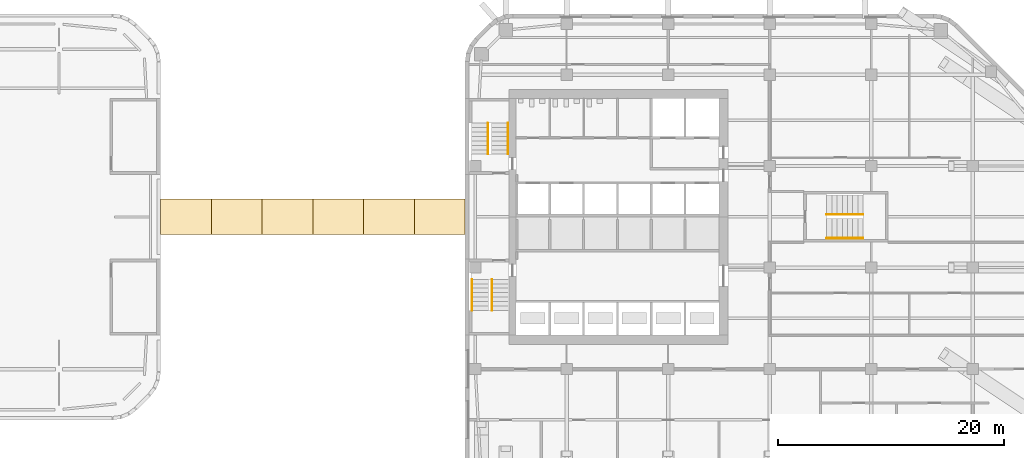
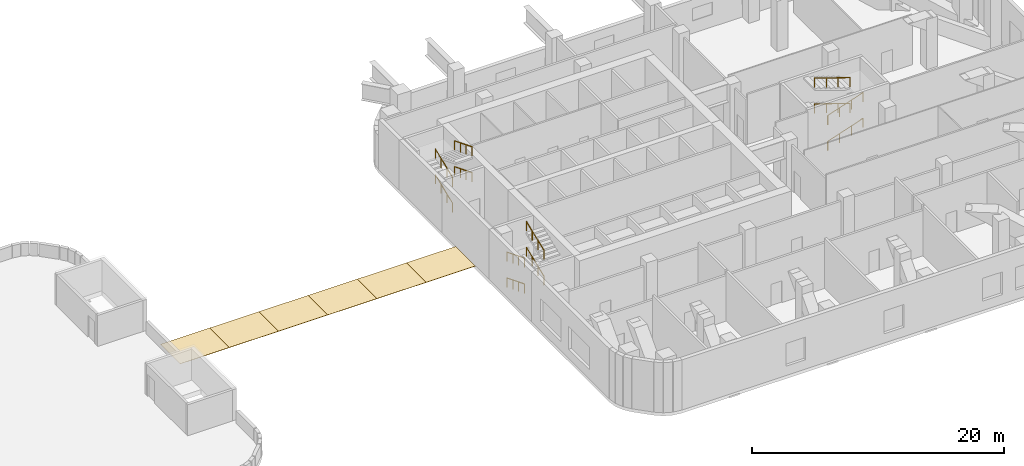
# One storey, part 9 of 11: 12 railings, 6 coverings, 3 elements without a shape of their own.
"""IFC4 building model written with IfcOpenShell, lengths in metres."""

import ifcopenshell
import ifcopenshell.guid

model = None  # the IFC model being written
_history = None  # IfcOwnerHistory: only IFC2X3 demands one
_inside = {}  # id of a spatial element -> (the spatial element, [elements in it])
_under = {}  # id of a project, library or spatial element -> (it, [spatial elements below it])
_declared = {}  # id of a project -> (the project, [libraries it declares])
_typed = {}  # id of a type object -> (the type object, [elements of that type])
_made_of = {}  # id of a material, layer set ... -> (it, [elements and type objects made of it])


def new_model(schema):
    """Start an empty IFC model of exactly this schema.

    Asked for "IFC4X3", IfcOpenShell would pick the latest addendum, in which some entities
    have other attributes; the version numbers below select the first issue.
    IFC2X3 requires an IfcOwnerHistory on every rooted entity: one is made here for all.
    """
    global model, _history
    if schema == "IFC4X3":
        model = ifcopenshell.file(schema_version=(4, 3, 0, 0))
    else:
        model = ifcopenshell.file(schema=schema)
    _inside.clear()
    _under.clear()
    _declared.clear()
    _typed.clear()
    _made_of.clear()
    _history = None
    if model.schema == "IFC2X3":
        org = make("IfcOrganization", Name="unknown")
        user = make(
            "IfcPersonAndOrganization",
            ThePerson=make("IfcPerson", FamilyName="unknown"),
            TheOrganization=org,
        )
        app = make(
            "IfcApplication",
            ApplicationDeveloper=org,
            Version="unknown",
            ApplicationFullName="unknown",
            ApplicationIdentifier="unknown",
        )
        _history = make(
            "IfcOwnerHistory",
            OwningUser=user,
            OwningApplication=app,
            ChangeAction="ADDED",
            CreationDate=0,
        )
    return model


def make(cls, **values):
    """One entity of the class cls with the attributes given. An attribute that is None is left unset."""
    return model.create_entity(
        cls, **{name: value for name, value in values.items() if value is not None}
    )


def rooted(cls, **values):
    """An entity with a GlobalId (a new one), such as an element, a storey or a relation."""
    return make(cls, GlobalId=ifcopenshell.guid.new(), OwnerHistory=_history, **values)


def si_unit(unit_type, name, prefix=None):
    """IfcSIUnit, for example si_unit("LENGTHUNIT", "METRE", prefix="MILLI")."""
    return make("IfcSIUnit", UnitType=unit_type, Prefix=prefix, Name=name)


def assignment(units):
    """IfcUnitAssignment: the units of a project."""
    return None if units is None else make("IfcUnitAssignment", Units=units)


def point(xyz):
    """IfcCartesianPoint."""
    return None if xyz is None else make("IfcCartesianPoint", Coordinates=xyz)


def direction(xyz):
    """IfcDirection."""
    return None if xyz is None else make("IfcDirection", DirectionRatios=xyz)


def frame(location, z_axis=None, x_axis=None):
    """IfcAxis2Placement3D, a coordinate frame: its origin and axes. An axis left out is left unset."""
    return make(
        "IfcAxis2Placement3D",
        Location=point(location),
        Axis=direction(z_axis),
        RefDirection=direction(x_axis),
    )


def frame_2d(location, x_axis=None):
    """IfcAxis2Placement2D, a coordinate frame in the plane: its origin and x axis."""
    return make(
        "IfcAxis2Placement2D", Location=point(location), RefDirection=direction(x_axis)
    )


def origin():
    """The frame at (0, 0, 0) with its axes left unset."""
    return frame((0.0, 0.0, 0.0))


def origin_2d():
    """The frame at (0, 0) in the plane with its x axis left unset."""
    return frame_2d((0.0, 0.0))


def place(relative_to, where):
    """IfcLocalPlacement: puts the frame where relative to a parent placement (None: the world)."""
    return make(
        "IfcLocalPlacement", PlacementRelTo=relative_to, RelativePlacement=where
    )


def context(
    kind, dimensions, precision=None, world=None, true_north=None, identifier=None
):
    """IfcGeometricRepresentationContext, for example the 3D "Model" context."""
    return make(
        "IfcGeometricRepresentationContext",
        ContextIdentifier=identifier,
        ContextType=kind,
        CoordinateSpaceDimension=dimensions,
        Precision=precision,
        WorldCoordinateSystem=world,
        TrueNorth=true_north,
    )


def subcontext(parent, identifier, kind, view, scale=None):
    """IfcGeometricRepresentationSubContext, for example "Body" below "Model"."""
    return make(
        "IfcGeometricRepresentationSubContext",
        ContextIdentifier=identifier,
        ContextType=kind,
        ParentContext=parent,
        TargetScale=scale,
        TargetView=view,
    )


def project(units=None, contexts=None):
    """IfcProject with its units and contexts."""
    return rooted(
        "IfcProject",
        Name="project",
        RepresentationContexts=contexts,
        UnitsInContext=assignment(units),
    )


def spatial(cls, under=None, at=None, **own):
    """A site, building, storey or space (cls), placed at a placement, below another one or the project."""
    s = rooted(cls, ObjectPlacement=at, **own)
    if under is not None:
        _under.setdefault(under.id(), (under, []))[1].append(s)
    return s


def profile(cls, at=None, kind="AREA", **sizes):
    """A parametric profile (cls). Its sizes go by their IFC names, for example OverallWidth=200.0."""
    return make(cls, ProfileType=kind, Position=at, **sizes)


def rectangle(**sizes):
    """IfcRectangleProfileDef."""
    return profile("IfcRectangleProfileDef", **sizes)


def circle(**sizes):
    """IfcCircleProfileDef."""
    return profile("IfcCircleProfileDef", **sizes)


def extrude(swept, where, along, depth):
    """IfcExtrudedAreaSolid: the profile swept, set in the frame where, extruded along a direction by depth."""
    return make(
        "IfcExtrudedAreaSolid",
        SweptArea=swept,
        Position=where,
        ExtrudedDirection=direction(along),
        Depth=depth,
    )


def shape(context_of_items, identifier, shape_type, items):
    """IfcShapeRepresentation: the items that make up one representation, for example the "Body"."""
    return make(
        "IfcShapeRepresentation",
        ContextOfItems=context_of_items,
        RepresentationIdentifier=identifier,
        RepresentationType=shape_type,
        Items=items,
    )


def material(Name=None, Category=None):
    """IfcMaterial."""
    return make("IfcMaterial", Name=Name, Category=Category)


def layer(
    of_material, thickness, ventilated=None, Name=None, Category=None, Priority=None
):
    """IfcMaterialLayer: one layer of a wall or slab, of a material (None: an air gap)."""
    return make(
        "IfcMaterialLayer",
        Material=of_material,
        LayerThickness=thickness,
        IsVentilated=ventilated,
        Name=Name,
        Category=Category,
        Priority=Priority,
    )


def layer_set(layers, Name=None):
    """IfcMaterialLayerSet."""
    return make("IfcMaterialLayerSet", MaterialLayers=layers, LayerSetName=Name)


def made_of(thing, what):
    """Note that an element or type object is made of a material, layer set ...; save() writes the relation."""
    if what is not None:
        _made_of.setdefault(what.id(), (what, []))[1].append(thing)
    return thing


def type_object(cls, material=None, **own):
    """A type object (cls), such as IfcWallType, which elements share."""
    return made_of(rooted(cls, **own), material)


def element(
    cls,
    number,
    at=None,
    inside=None,
    cuts=None,
    type_object=None,
    material=None,
    context=None,
    identifier="Body",
    shape_type=None,
    held_by="IfcProductDefinitionShape",
    body=None,
    shapes=None,
    **own,
):
    """One element of the class cls, such as IfcWall. Its Tag is "e" and its number.

    at: its placement. inside: the storey or other place that contains it. cuts: it is an
    opening in that element (IfcRelVoidsElement). A single representation is given by context,
    identifier, shape_type and body (its items); several are given by shapes. held_by: the class
    of the entity that holds the representations. save() writes the other relations.
    """
    e = rooted(cls, Tag="e%d" % number, ObjectPlacement=at, **own)
    if body is not None:
        shapes = [shape(context, identifier, shape_type, body)]
    if shapes is not None:
        e.Representation = make(held_by, Representations=shapes)
    if inside is not None:
        _inside.setdefault(inside.id(), (inside, []))[1].append(e)
    if cuts is not None:
        rooted(
            "IfcRelVoidsElement", RelatingBuildingElement=cuts, RelatedOpeningElement=e
        )
    if type_object is not None:
        _typed.setdefault(type_object.id(), (type_object, []))[1].append(e)
    return made_of(e, material)


def aggregate(whole, parts):
    """IfcRelAggregates: a whole, such as a stair, and the parts it consists of."""
    return rooted("IfcRelAggregates", RelatingObject=whole, RelatedObjects=parts)


def save(model, path):
    """Write the relations noted so far, then the file.

    IfcRelAggregates (storeys below a building ...), IfcRelContainedInSpatialStructure (elements
    in a storey), IfcRelDefinesByType, IfcRelAssociatesMaterial and IfcRelDeclares: one each for
    every whole, place, type object, material and project.
    """
    for whole, parts in _under.values():
        aggregate(whole, parts)
    for where, things in _inside.values():
        rooted(
            "IfcRelContainedInSpatialStructure",
            RelatedElements=things,
            RelatingStructure=where,
        )
    for kind, things in _typed.values():
        rooted("IfcRelDefinesByType", RelatedObjects=things, RelatingType=kind)
    for what, things in _made_of.values():
        rooted("IfcRelAssociatesMaterial", RelatedObjects=things, RelatingMaterial=what)
    for by, libraries in _declared.values():
        rooted("IfcRelDeclares", RelatingContext=by, RelatedDefinitions=libraries)
    model.write(path)


model = new_model("IFC4")

# Units and contexts
model_context = context("Model", 3, precision=1e-05, world=origin(), true_north=direction((0.0, 1.0)))
body_context = subcontext(model_context, "Body", "Model", "MODEL_VIEW")
ifc_project = project(units=[si_unit("LENGTHUNIT", "METRE"), si_unit("AREAUNIT", "SQUARE_METRE"), si_unit("VOLUMEUNIT", "CUBIC_METRE"), si_unit("PLANEANGLEUNIT", "RADIAN"), si_unit("MASSUNIT", "GRAM", prefix="KILO")], contexts=[model_context])

# Site, building, storey
site_placement = place(None, origin())
site = spatial("IfcSite", under=ifc_project, at=site_placement, CompositionType="ELEMENT")
building_placement = place(site_placement, origin())
building = spatial("IfcBuilding", under=site, at=building_placement, Name="Cinnabar Reach Civic Tower", CompositionType="ELEMENT")
storey_placement = place(building_placement, frame((0.0, 0.0, 144.0)))
storey = spatial("IfcBuildingStorey", under=building, at=storey_placement, Name="L34", CompositionType="ELEMENT", Elevation=144.0)

# Coverings
ifc_material_1 = material(Name="Clear double glazing", Category="glass")
ifc_layer = layer(ifc_material_1, 0.03)
ifc_layer_set = layer_set([ifc_layer], Name="Bridge 2 enclosure roof glazing")
covering_type = type_object("IfcCoveringType", Name="Bridge 2 enclosure roof glazing", PredefinedType="ROOFING", material=ifc_layer_set)
for number, where, z_axis, x_axis, name in (
    (1, (-24.75, 31.5, -0.05), (0.0, 0.0, 1.0), (1.0, 0.0, 0.0), "Bridge 2 enclosure roof panel 1"),
    (2, (-20.25, 31.5, -0.05), (0.0, 0.0, 1.0), (1.0, 0.0, 0.0), "Bridge 2 enclosure roof panel 2"),
    (3, (-15.75, 31.5, -0.05), (0.0, 0.0, 1.0), (1.0, 0.0, 0.0), "Bridge 2 enclosure roof panel 3"),
    (4, (-11.25, 31.5, -0.05), (0.0, 0.0, 1.0), (1.0, 0.0, 0.0), "Bridge 2 enclosure roof panel 4"),
    (5, (-6.75, 31.5, -0.05), (0.0, 0.0, 1.0), (1.0, 0.0, 0.0), "Bridge 2 enclosure roof panel 5"),
    (6, (-2.25, 31.5, -0.05), (0.0, 0.0, 1.0), (1.0, 0.0, 0.0), "Bridge 2 enclosure roof panel 6"),
):
    element("IfcCovering", number, at=place(storey_placement, frame(where, z_axis=z_axis, x_axis=x_axis)), inside=storey, type_object=covering_type, Name=name, PredefinedType="ROOFING", context=body_context, shape_type="SweptSolid", body=[
        extrude(rectangle(XDim=4.5, YDim=3.12, at=origin_2d()), origin(), (0.0, 0.0, 1.0), 0.03),
    ])

# Stair, railings
ifc_material_2 = material(Name="Concrete C40/50", Category="concrete")
stair_type = type_object("IfcStairType", Name="T1 Exit stair, double return", PredefinedType="DOUBLE_RETURN_STAIR", material=ifc_material_2)
stair_1_placement = place(storey_placement, origin())
stair_1 = element("IfcStair", 7, at=stair_1_placement, inside=storey, type_object=stair_type, Name="Stair T1-S1", PredefinedType="DOUBLE_RETURN_STAIR")
ifc_material_3 = material(Name="Stainless steel tube", Category="steel")
railing_type = type_object("IfcRailingType", Name="T1 Stair handrail, stainless tube 48", PredefinedType="HANDRAIL", material=ifc_material_3)
railing_1_placement = place(storey_placement, frame((0.6, 25.95, 0.1562)))
railing_1 = element("IfcRailing", 8, at=railing_1_placement, type_object=railing_type, Name="T1-S1 handrail 1", PredefinedType="HANDRAIL", context=body_context, shape_type="SweptSolid", body=[
    extrude(circle(Radius=0.024, at=origin_2d()), frame((0.0, 0.0, 0.876), z_axis=(0.0, -0.928966009512, 0.370165035047), x_axis=(1.0, 0.0, 0.0)), (0.0, 0.0, 1.0), 2.9549),
    extrude(circle(Radius=0.021, at=origin_2d()), origin(), (0.0, 0.0, 1.0), 0.852),
    extrude(circle(Radius=0.021, at=origin_2d()), frame((0.0, -0.915, 0.3646)), (0.0, 0.0, 1.0), 0.852),
    extrude(circle(Radius=0.021, at=origin_2d()), frame((0.0, -1.83, 0.7292)), (0.0, 0.0, 1.0), 0.852),
    extrude(circle(Radius=0.021, at=origin_2d()), frame((0.0, -2.745, 1.0938)), (0.0, 0.0, 1.0), 0.852),
])
railing_2_placement = place(storey_placement, frame((2.375, 23.205, 1.4062)))
railing_2 = element("IfcRailing", 9, at=railing_2_placement, type_object=railing_type, Name="T1-S1 handrail 2", PredefinedType="HANDRAIL", context=body_context, shape_type="SweptSolid", body=[
    extrude(circle(Radius=0.024, at=origin_2d()), frame((0.0, 0.0, 0.876), z_axis=(0.0, 0.928966009512, 0.370165035047), x_axis=(-1.0, 0.0, 0.0)), (0.0, 0.0, 1.0), 2.9549),
    extrude(circle(Radius=0.021, at=origin_2d()), origin(), (0.0, 0.0, 1.0), 0.852),
    extrude(circle(Radius=0.021, at=origin_2d()), frame((0.0, 0.915, 0.3646)), (0.0, 0.0, 1.0), 0.852),
    extrude(circle(Radius=0.021, at=origin_2d()), frame((0.0, 1.83, 0.7292)), (0.0, 0.0, 1.0), 0.852),
    extrude(circle(Radius=0.021, at=origin_2d()), frame((0.0, 2.745, 1.0938)), (0.0, 0.0, 1.0), 0.852),
])
railing_3_placement = place(storey_placement, frame((0.6, 25.95, 2.6562)))
railing_3 = element("IfcRailing", 10, at=railing_3_placement, type_object=railing_type, Name="T1-S1 handrail 3", PredefinedType="HANDRAIL", context=body_context, shape_type="SweptSolid", body=[
    extrude(circle(Radius=0.024, at=origin_2d()), frame((0.0, 0.0, 0.876), z_axis=(0.0, -0.928966009512, 0.370165035047), x_axis=(1.0, 0.0, 0.0)), (0.0, 0.0, 1.0), 2.9549),
    extrude(circle(Radius=0.021, at=origin_2d()), origin(), (0.0, 0.0, 1.0), 0.852),
    extrude(circle(Radius=0.021, at=origin_2d()), frame((0.0, -0.915, 0.3646)), (0.0, 0.0, 1.0), 0.852),
    extrude(circle(Radius=0.021, at=origin_2d()), frame((0.0, -1.83, 0.7292)), (0.0, 0.0, 1.0), 0.852),
    extrude(circle(Radius=0.021, at=origin_2d()), frame((0.0, -2.745, 1.0938)), (0.0, 0.0, 1.0), 0.852),
])
railing_4_placement = place(storey_placement, frame((2.375, 23.205, 3.9062)))
railing_4 = element("IfcRailing", 11, at=railing_4_placement, type_object=railing_type, Name="T1-S1 handrail 4", PredefinedType="HANDRAIL", context=body_context, shape_type="SweptSolid", body=[
    extrude(circle(Radius=0.024, at=origin_2d()), frame((0.0, 0.0, 0.876), z_axis=(0.0, 0.928966009512, 0.370165035047), x_axis=(-1.0, 0.0, 0.0)), (0.0, 0.0, 1.0), 2.9549),
    extrude(circle(Radius=0.021, at=origin_2d()), origin(), (0.0, 0.0, 1.0), 0.852),
    extrude(circle(Radius=0.021, at=origin_2d()), frame((0.0, 0.915, 0.3646)), (0.0, 0.0, 1.0), 0.852),
    extrude(circle(Radius=0.021, at=origin_2d()), frame((0.0, 1.83, 0.7292)), (0.0, 0.0, 1.0), 0.852),
    extrude(circle(Radius=0.021, at=origin_2d()), frame((0.0, 2.745, 1.0938)), (0.0, 0.0, 1.0), 0.852),
])
aggregate(stair_1, [railing_1, railing_2, railing_3, railing_4])

stair_2_placement = place(storey_placement, origin())
stair_2 = element("IfcStair", 12, at=stair_2_placement, inside=storey, type_object=stair_type, Name="Stair T1-S2", PredefinedType="DOUBLE_RETURN_STAIR")
railing_5_placement = place(storey_placement, frame((2.025, 37.05, 0.1562)))
railing_5 = element("IfcRailing", 13, at=railing_5_placement, type_object=railing_type, Name="T1-S2 handrail 1", PredefinedType="HANDRAIL", context=body_context, shape_type="SweptSolid", body=[
    extrude(circle(Radius=0.024, at=origin_2d()), frame((0.0, 0.0, 0.876), z_axis=(0.0, 0.928966009512, 0.370165035047), x_axis=(-1.0, 0.0, 0.0)), (0.0, 0.0, 1.0), 2.9549),
    extrude(circle(Radius=0.021, at=origin_2d()), origin(), (0.0, 0.0, 1.0), 0.852),
    extrude(circle(Radius=0.021, at=origin_2d()), frame((0.0, 0.915, 0.3646)), (0.0, 0.0, 1.0), 0.852),
    extrude(circle(Radius=0.021, at=origin_2d()), frame((0.0, 1.83, 0.7292)), (0.0, 0.0, 1.0), 0.852),
    extrude(circle(Radius=0.021, at=origin_2d()), frame((0.0, 2.745, 1.0938)), (0.0, 0.0, 1.0), 0.852),
])
railing_6_placement = place(storey_placement, frame((3.8, 39.795, 1.4062)))
railing_6 = element("IfcRailing", 14, at=railing_6_placement, type_object=railing_type, Name="T1-S2 handrail 2", PredefinedType="HANDRAIL", context=body_context, shape_type="SweptSolid", body=[
    extrude(circle(Radius=0.024, at=origin_2d()), frame((0.0, 0.0, 0.876), z_axis=(0.0, -0.928966009512, 0.370165035047), x_axis=(1.0, 0.0, 0.0)), (0.0, 0.0, 1.0), 2.9549),
    extrude(circle(Radius=0.021, at=origin_2d()), origin(), (0.0, 0.0, 1.0), 0.852),
    extrude(circle(Radius=0.021, at=origin_2d()), frame((0.0, -0.915, 0.3646)), (0.0, 0.0, 1.0), 0.852),
    extrude(circle(Radius=0.021, at=origin_2d()), frame((0.0, -1.83, 0.7292)), (0.0, 0.0, 1.0), 0.852),
    extrude(circle(Radius=0.021, at=origin_2d()), frame((0.0, -2.745, 1.0938)), (0.0, 0.0, 1.0), 0.852),
])
railing_7_placement = place(storey_placement, frame((2.025, 37.05, 2.6562)))
railing_7 = element("IfcRailing", 15, at=railing_7_placement, type_object=railing_type, Name="T1-S2 handrail 3", PredefinedType="HANDRAIL", context=body_context, shape_type="SweptSolid", body=[
    extrude(circle(Radius=0.024, at=origin_2d()), frame((0.0, 0.0, 0.876), z_axis=(0.0, 0.928966009512, 0.370165035047), x_axis=(-1.0, 0.0, 0.0)), (0.0, 0.0, 1.0), 2.9549),
    extrude(circle(Radius=0.021, at=origin_2d()), origin(), (0.0, 0.0, 1.0), 0.852),
    extrude(circle(Radius=0.021, at=origin_2d()), frame((0.0, 0.915, 0.3646)), (0.0, 0.0, 1.0), 0.852),
    extrude(circle(Radius=0.021, at=origin_2d()), frame((0.0, 1.83, 0.7292)), (0.0, 0.0, 1.0), 0.852),
    extrude(circle(Radius=0.021, at=origin_2d()), frame((0.0, 2.745, 1.0938)), (0.0, 0.0, 1.0), 0.852),
])
railing_8_placement = place(storey_placement, frame((3.8, 39.795, 3.9062)))
railing_8 = element("IfcRailing", 16, at=railing_8_placement, type_object=railing_type, Name="T1-S2 handrail 4", PredefinedType="HANDRAIL", context=body_context, shape_type="SweptSolid", body=[
    extrude(circle(Radius=0.024, at=origin_2d()), frame((0.0, 0.0, 0.876), z_axis=(0.0, -0.928966009512, 0.370165035047), x_axis=(1.0, 0.0, 0.0)), (0.0, 0.0, 1.0), 2.9549),
    extrude(circle(Radius=0.021, at=origin_2d()), origin(), (0.0, 0.0, 1.0), 0.852),
    extrude(circle(Radius=0.021, at=origin_2d()), frame((0.0, -0.915, 0.3646)), (0.0, 0.0, 1.0), 0.852),
    extrude(circle(Radius=0.021, at=origin_2d()), frame((0.0, -1.83, 0.7292)), (0.0, 0.0, 1.0), 0.852),
    extrude(circle(Radius=0.021, at=origin_2d()), frame((0.0, -2.745, 1.0938)), (0.0, 0.0, 1.0), 0.852),
])
aggregate(stair_2, [railing_5, railing_6, railing_7, railing_8])

stair_3_placement = place(storey_placement, origin())
stair_3 = element("IfcStair", 17, at=stair_3_placement, inside=storey, type_object=stair_type, Name="Stair T1-S3", PredefinedType="DOUBLE_RETURN_STAIR")
railing_9_placement = place(storey_placement, frame((32.05, 29.6, 0.1562)))
railing_9 = element("IfcRailing", 18, at=railing_9_placement, type_object=railing_type, Name="T1-S3 handrail 1", PredefinedType="HANDRAIL", context=body_context, shape_type="SweptSolid", body=[
    extrude(circle(Radius=0.024, at=origin_2d()), frame((0.0, 0.0, 0.876), z_axis=(0.947465695108, 0.0, 0.319857400404), x_axis=(0.0, 1.0, 0.0)), (0.0, 0.0, 1.0), 3.4196),
    extrude(circle(Radius=0.021, at=origin_2d()), origin(), (0.0, 0.0, 1.0), 0.852),
    extrude(circle(Radius=0.021, at=origin_2d()), frame((1.08, 0.0, 0.3646)), (0.0, 0.0, 1.0), 0.852),
    extrude(circle(Radius=0.021, at=origin_2d()), frame((2.16, 0.0, 0.7292)), (0.0, 0.0, 1.0), 0.852),
    extrude(circle(Radius=0.021, at=origin_2d()), frame((3.24, 0.0, 1.0938)), (0.0, 0.0, 1.0), 0.852),
])
railing_10_placement = place(storey_placement, frame((35.29, 31.7, 1.4062)))
railing_10 = element("IfcRailing", 19, at=railing_10_placement, type_object=railing_type, Name="T1-S3 handrail 2", PredefinedType="HANDRAIL", context=body_context, shape_type="SweptSolid", body=[
    extrude(circle(Radius=0.024, at=origin_2d()), frame((0.0, 0.0, 0.876), z_axis=(-0.947465695108, 0.0, 0.319857400404), x_axis=(0.0, -1.0, 0.0)), (0.0, 0.0, 1.0), 3.4196),
    extrude(circle(Radius=0.021, at=origin_2d()), origin(), (0.0, 0.0, 1.0), 0.852),
    extrude(circle(Radius=0.021, at=origin_2d()), frame((-1.08, 0.0, 0.3646)), (0.0, 0.0, 1.0), 0.852),
    extrude(circle(Radius=0.021, at=origin_2d()), frame((-2.16, 0.0, 0.7292)), (0.0, 0.0, 1.0), 0.852),
    extrude(circle(Radius=0.021, at=origin_2d()), frame((-3.24, 0.0, 1.0938)), (0.0, 0.0, 1.0), 0.852),
])
railing_11_placement = place(storey_placement, frame((32.05, 29.6, 2.6562)))
railing_11 = element("IfcRailing", 20, at=railing_11_placement, type_object=railing_type, Name="T1-S3 handrail 3", PredefinedType="HANDRAIL", context=body_context, shape_type="SweptSolid", body=[
    extrude(circle(Radius=0.024, at=origin_2d()), frame((0.0, 0.0, 0.876), z_axis=(0.947465695108, 0.0, 0.319857400404), x_axis=(0.0, 1.0, 0.0)), (0.0, 0.0, 1.0), 3.4196),
    extrude(circle(Radius=0.021, at=origin_2d()), origin(), (0.0, 0.0, 1.0), 0.852),
    extrude(circle(Radius=0.021, at=origin_2d()), frame((1.08, 0.0, 0.3646)), (0.0, 0.0, 1.0), 0.852),
    extrude(circle(Radius=0.021, at=origin_2d()), frame((2.16, 0.0, 0.7292)), (0.0, 0.0, 1.0), 0.852),
    extrude(circle(Radius=0.021, at=origin_2d()), frame((3.24, 0.0, 1.0938)), (0.0, 0.0, 1.0), 0.852),
])
railing_12_placement = place(storey_placement, frame((35.29, 31.7, 3.9062)))
railing_12 = element("IfcRailing", 21, at=railing_12_placement, type_object=railing_type, Name="T1-S3 handrail 4", PredefinedType="HANDRAIL", context=body_context, shape_type="SweptSolid", body=[
    extrude(circle(Radius=0.024, at=origin_2d()), frame((0.0, 0.0, 0.876), z_axis=(-0.947465695108, 0.0, 0.319857400404), x_axis=(0.0, -1.0, 0.0)), (0.0, 0.0, 1.0), 3.4196),
    extrude(circle(Radius=0.021, at=origin_2d()), origin(), (0.0, 0.0, 1.0), 0.852),
    extrude(circle(Radius=0.021, at=origin_2d()), frame((-1.08, 0.0, 0.3646)), (0.0, 0.0, 1.0), 0.852),
    extrude(circle(Radius=0.021, at=origin_2d()), frame((-2.16, 0.0, 0.7292)), (0.0, 0.0, 1.0), 0.852),
    extrude(circle(Radius=0.021, at=origin_2d()), frame((-3.24, 0.0, 1.0938)), (0.0, 0.0, 1.0), 0.852),
])
aggregate(stair_3, [railing_9, railing_10, railing_11, railing_12])

save(model, "model.ifc")
